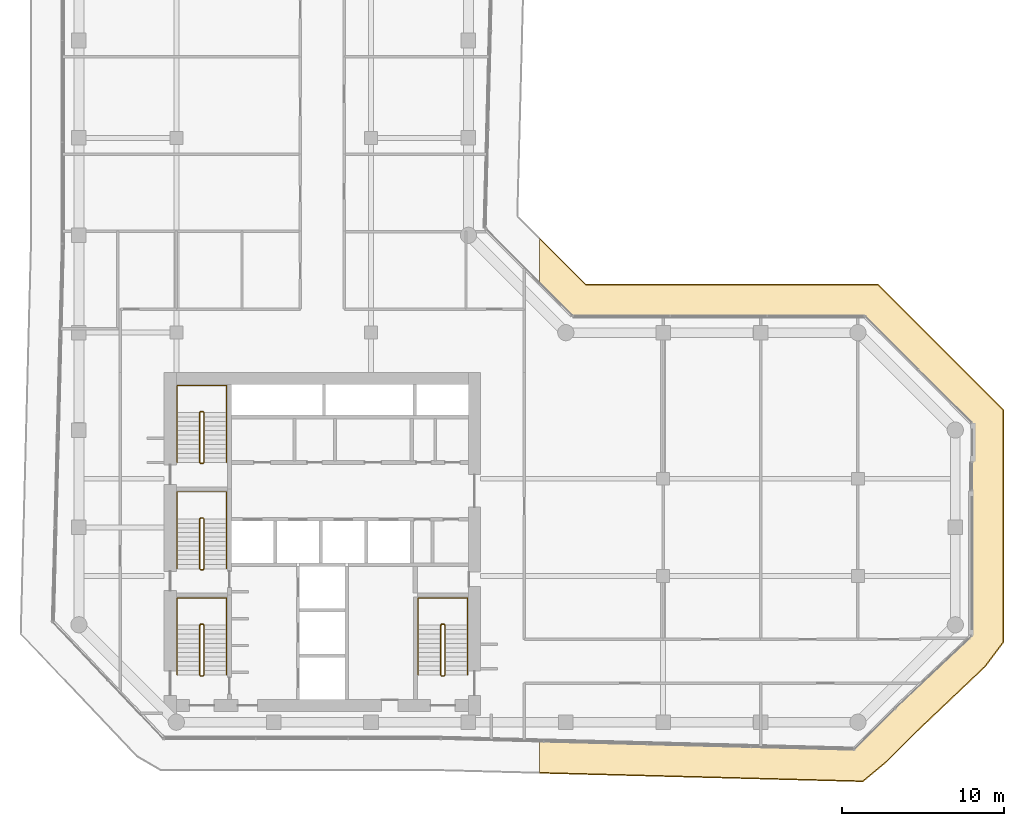
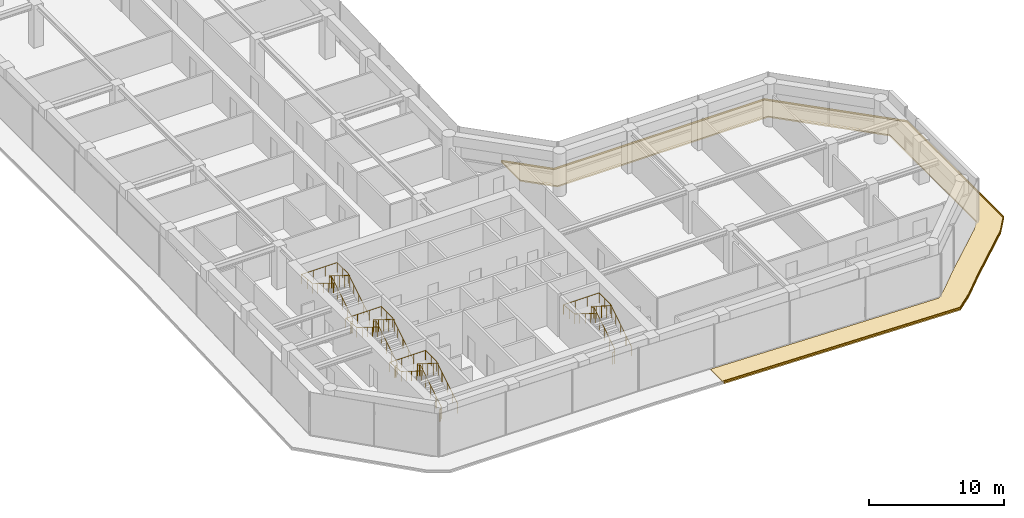
# One storey, part 22 of 23: 8 railings, 2 coverings.
"""IFC4 building model written with IfcOpenShell, lengths in metres."""

from ifc_helpers import new_model, si_unit, direction, frame, origin, origin_2d, place, context, subcontext, project, spatial, polyline, circle, outline, extrude, material, layer, layer_set, type_object, element, save


model = new_model("IFC4")

# Units and contexts
model_context = context("Model", 3, precision=1e-05, world=origin(), true_north=direction((0.0, 1.0)))
body_context = subcontext(model_context, "Body", "Model", "MODEL_VIEW")
ifc_project = project(units=[si_unit("LENGTHUNIT", "METRE"), si_unit("AREAUNIT", "SQUARE_METRE"), si_unit("VOLUMEUNIT", "CUBIC_METRE"), si_unit("PLANEANGLEUNIT", "RADIAN"), si_unit("MASSUNIT", "GRAM", prefix="KILO")], contexts=[model_context])

# Site, building, storey
site_placement = place(None, origin())
site = spatial("IfcSite", under=ifc_project, at=site_placement, CompositionType="ELEMENT")
building_placement = place(site_placement, origin())
building = spatial("IfcBuilding", under=site, at=building_placement, Name="Welwitschia Terrace Campus", CompositionType="ELEMENT")
storey_placement = place(building_placement, frame((0.0, 0.0, 117.199951171875)))
storey = spatial("IfcBuildingStorey", under=building, at=storey_placement, Name="L26", CompositionType="ELEMENT", Elevation=117.199951171875)

# Railings
ifc_material_1 = material(Name="Steel S355", Category="steel")
railing_type_1 = type_object("IfcRailingType", Name="Stair guard 1100", PredefinedType="GUARDRAIL", material=ifc_material_1)
railing_1_placement = place(storey_placement, frame((7.5, 6.85009765625, 0.0)))
element("IfcRailing", 1, at=railing_1_placement, inside=storey, type_object=railing_type_1, Name="L26 S1 stair guard", PredefinedType="GUARDRAIL", context=body_context, shape_type="SweptSolid", body=[
    extrude(circle(Radius=0.02392578125, at=origin_2d()), frame((0.0, 0.0, 1.076171875), z_axis=(1.0, 0.0, 0.0), x_axis=(0.0, 1.0, 0.0)), (0.0, 0.0, 1.0), 0.14990234375),
    extrude(circle(Radius=0.02392578125, at=origin_2d()), frame((0.14990234375, 0.0, 1.076171875), z_axis=(0.265155923931, 0.263862480399, 0.927399011991), x_axis=(-0.705375805398, 0.708833529934, 0.0)), (0.0, 0.0, 1.0), 0.188720703125),
    extrude(circle(Radius=0.02392578125, at=origin_2d()), frame((0.199951171875, 0.0498046875, 1.2509765625), z_axis=(0.0, 0.847998304005, 0.529998940003), x_axis=(-1.0, 0.0, 0.0)), (0.0, 0.0, 1.0), 3.632080078125),
    extrude(circle(Radius=0.02392578125, at=origin_2d()), frame((0.199951171875, 3.1298828125, 3.17626953125), z_axis=(-0.707106781187, 0.707106781187, 0.0), x_axis=(-0.707106781187, -0.707106781187, 0.0)), (0.0, 0.0, 1.0), 0.07080078125),
    extrude(circle(Radius=0.02392578125, at=origin_2d()), frame((0.14990234375, 3.179931640625, 3.17626953125), z_axis=(-1.0, 0.0, 0.0), x_axis=(0.0, -1.0, 0.0)), (0.0, 0.0, 1.0), 0.14990234375),
    extrude(circle(Radius=0.02392578125, at=origin_2d()), frame((0.0, 3.179931640625, 3.17626953125), z_axis=(-0.265065253269, -0.265065253269, 0.927081885822), x_axis=(0.707106781187, -0.707106781187, 0.0)), (0.0, 0.0, 1.0), 0.188720703125),
    extrude(circle(Radius=0.02392578125, at=origin_2d()), frame((-0.050048828125, 3.1298828125, 3.35107421875), z_axis=(0.0, -0.848028513186, 0.529950602248), x_axis=(1.0, 0.0, 0.0)), (0.0, 0.0, 1.0), 3.632080078125),
    extrude(circle(Radius=0.02099609375, at=origin_2d()), origin(), (0.0, 0.0, 1.0), 1.052001953125),
    extrude(circle(Radius=0.02099609375, at=origin_2d()), frame((0.14990234375, 0.0, 0.0)), (0.0, 0.0, 1.0), 1.052001953125),
    extrude(circle(Radius=0.02099609375, at=origin_2d()), frame((0.199951171875, 0.0498046875, 0.175048828125)), (0.0, 0.0, 1.0), 1.052001953125),
    extrude(circle(Radius=0.02099609375, at=origin_2d()), frame((0.199951171875, 0.81982421875, 0.65625)), (0.0, 0.0, 1.0), 1.052001953125),
    extrude(circle(Radius=0.02099609375, at=origin_2d()), frame((0.199951171875, 1.58984375, 1.1376953125)), (0.0, 0.0, 1.0), 1.052001953125),
    extrude(circle(Radius=0.02099609375, at=origin_2d()), frame((0.199951171875, 2.35986328125, 1.618896484375)), (0.0, 0.0, 1.0), 1.052001953125),
    extrude(circle(Radius=0.02099609375, at=origin_2d()), frame((0.199951171875, 3.1298828125, 2.10009765625)), (0.0, 0.0, 1.0), 1.052001953125),
    extrude(circle(Radius=0.02099609375, at=origin_2d()), frame((0.14990234375, 3.179931640625, 2.10009765625)), (0.0, 0.0, 1.0), 1.052001953125),
    extrude(circle(Radius=0.02099609375, at=origin_2d()), frame((0.0, 3.179931640625, 2.10009765625)), (0.0, 0.0, 1.0), 1.052001953125),
    extrude(circle(Radius=0.02099609375, at=origin_2d()), frame((-0.050048828125, 3.1298828125, 2.275146484375)), (0.0, 0.0, 1.0), 1.052001953125),
    extrude(circle(Radius=0.02099609375, at=origin_2d()), frame((-0.050048828125, 2.35986328125, 2.75634765625)), (0.0, 0.0, 1.0), 1.052001953125),
    extrude(circle(Radius=0.02099609375, at=origin_2d()), frame((-0.050048828125, 1.58984375, 3.237548828125)), (0.0, 0.0, 1.0), 1.052001953125),
    extrude(circle(Radius=0.02099609375, at=origin_2d()), frame((-0.050048828125, 0.81982421875, 3.71875)), (0.0, 0.0, 1.0), 1.052001953125),
    extrude(circle(Radius=0.02099609375, at=origin_2d()), frame((-0.050048828125, 0.0498046875, 4.199951171875)), (0.0, 0.0, 1.0), 1.052001953125),
])
railing_2_placement = place(storey_placement, frame((7.5, 13.39990234375, 0.0)))
element("IfcRailing", 2, at=railing_2_placement, inside=storey, type_object=railing_type_1, Name="L26 S3 stair guard", PredefinedType="GUARDRAIL", context=body_context, shape_type="SweptSolid", body=[
    extrude(circle(Radius=0.02392578125, at=origin_2d()), frame((0.0, 0.0, 1.076171875), z_axis=(1.0, 0.0, 0.0), x_axis=(0.0, 1.0, 0.0)), (0.0, 0.0, 1.0), 0.14990234375),
    extrude(circle(Radius=0.02392578125, at=origin_2d()), frame((0.14990234375, 0.0, 1.076171875), z_axis=(0.265065253269, 0.265065253269, 0.927081885822), x_axis=(-0.707106781187, 0.707106781187, 0.0)), (0.0, 0.0, 1.0), 0.188720703125),
    extrude(circle(Radius=0.02392578125, at=origin_2d()), frame((0.199951171875, 0.050048828125, 1.2509765625), z_axis=(0.0, 0.847998304005, 0.529998940003), x_axis=(-1.0, 0.0, 0.0)), (0.0, 0.0, 1.0), 3.632080078125),
    extrude(circle(Radius=0.02392578125, at=origin_2d()), frame((0.199951171875, 3.130126953125, 3.17626953125), z_axis=(-0.707106781187, 0.707106781187, 0.0), x_axis=(-0.707106781187, -0.707106781187, 0.0)), (0.0, 0.0, 1.0), 0.07080078125),
    extrude(circle(Radius=0.02392578125, at=origin_2d()), frame((0.14990234375, 3.18017578125, 3.17626953125), z_axis=(-1.0, 0.0, 0.0), x_axis=(0.0, -1.0, 0.0)), (0.0, 0.0, 1.0), 0.14990234375),
    extrude(circle(Radius=0.02392578125, at=origin_2d()), frame((0.0, 3.18017578125, 3.17626953125), z_axis=(-0.265065253269, -0.265065253269, 0.927081885822), x_axis=(0.707106781187, -0.707106781187, 0.0)), (0.0, 0.0, 1.0), 0.188720703125),
    extrude(circle(Radius=0.02392578125, at=origin_2d()), frame((-0.050048828125, 3.130126953125, 3.35107421875), z_axis=(0.0, -0.848028513186, 0.529950602248), x_axis=(1.0, 0.0, 0.0)), (0.0, 0.0, 1.0), 3.632080078125),
    extrude(circle(Radius=0.02099609375, at=origin_2d()), origin(), (0.0, 0.0, 1.0), 1.052001953125),
    extrude(circle(Radius=0.02099609375, at=origin_2d()), frame((0.14990234375, 0.0, 0.0)), (0.0, 0.0, 1.0), 1.052001953125),
    extrude(circle(Radius=0.02099609375, at=origin_2d()), frame((0.199951171875, 0.050048828125, 0.175048828125)), (0.0, 0.0, 1.0), 1.052001953125),
    extrude(circle(Radius=0.02099609375, at=origin_2d()), frame((0.199951171875, 0.820068359375, 0.65625)), (0.0, 0.0, 1.0), 1.052001953125),
    extrude(circle(Radius=0.02099609375, at=origin_2d()), frame((0.199951171875, 1.590087890625, 1.1376953125)), (0.0, 0.0, 1.0), 1.052001953125),
    extrude(circle(Radius=0.02099609375, at=origin_2d()), frame((0.199951171875, 2.360107421875, 1.618896484375)), (0.0, 0.0, 1.0), 1.052001953125),
    extrude(circle(Radius=0.02099609375, at=origin_2d()), frame((0.199951171875, 3.130126953125, 2.10009765625)), (0.0, 0.0, 1.0), 1.052001953125),
    extrude(circle(Radius=0.02099609375, at=origin_2d()), frame((0.14990234375, 3.18017578125, 2.10009765625)), (0.0, 0.0, 1.0), 1.052001953125),
    extrude(circle(Radius=0.02099609375, at=origin_2d()), frame((0.0, 3.18017578125, 2.10009765625)), (0.0, 0.0, 1.0), 1.052001953125),
    extrude(circle(Radius=0.02099609375, at=origin_2d()), frame((-0.050048828125, 3.130126953125, 2.275146484375)), (0.0, 0.0, 1.0), 1.052001953125),
    extrude(circle(Radius=0.02099609375, at=origin_2d()), frame((-0.050048828125, 2.360107421875, 2.75634765625)), (0.0, 0.0, 1.0), 1.052001953125),
    extrude(circle(Radius=0.02099609375, at=origin_2d()), frame((-0.050048828125, 1.590087890625, 3.237548828125)), (0.0, 0.0, 1.0), 1.052001953125),
    extrude(circle(Radius=0.02099609375, at=origin_2d()), frame((-0.050048828125, 0.820068359375, 3.71875)), (0.0, 0.0, 1.0), 1.052001953125),
    extrude(circle(Radius=0.02099609375, at=origin_2d()), frame((-0.050048828125, 0.050048828125, 4.199951171875)), (0.0, 0.0, 1.0), 1.052001953125),
])
railing_3_placement = place(storey_placement, frame((7.5, 19.949951171875, 0.0)))
element("IfcRailing", 3, at=railing_3_placement, inside=storey, type_object=railing_type_1, Name="L26 S4 stair guard", PredefinedType="GUARDRAIL", context=body_context, shape_type="SweptSolid", body=[
    extrude(circle(Radius=0.02392578125, at=origin_2d()), frame((0.0, 0.0, 1.076171875), z_axis=(1.0, 0.0, 0.0), x_axis=(0.0, 1.0, 0.0)), (0.0, 0.0, 1.0), 0.14990234375),
    extrude(circle(Radius=0.02392578125, at=origin_2d()), frame((0.14990234375, 0.0, 1.076171875), z_axis=(0.265065253269, 0.265065253269, 0.927081885822), x_axis=(-0.707106781187, 0.707106781187, 0.0)), (0.0, 0.0, 1.0), 0.188720703125),
    extrude(circle(Radius=0.02392578125, at=origin_2d()), frame((0.199951171875, 0.050048828125, 1.2509765625), z_axis=(0.0, 0.847998304005, 0.529998940003), x_axis=(-1.0, 0.0, 0.0)), (0.0, 0.0, 1.0), 3.632080078125),
    extrude(circle(Radius=0.02392578125, at=origin_2d()), frame((0.199951171875, 3.130126953125, 3.17626953125), z_axis=(-0.708833529934, 0.705375805398, 0.0), x_axis=(-0.705375805398, -0.708833529934, 0.0)), (0.0, 0.0, 1.0), 0.070556640625),
    extrude(circle(Radius=0.02392578125, at=origin_2d()), frame((0.14990234375, 3.179931640625, 3.17626953125), z_axis=(-1.0, 0.0, 0.0), x_axis=(0.0, -1.0, 0.0)), (0.0, 0.0, 1.0), 0.14990234375),
    extrude(circle(Radius=0.02392578125, at=origin_2d()), frame((0.0, 3.179931640625, 3.17626953125), z_axis=(-0.265155923931, -0.263862480399, 0.927399011991), x_axis=(0.705375805398, -0.708833529934, 0.0)), (0.0, 0.0, 1.0), 0.188720703125),
    extrude(circle(Radius=0.02392578125, at=origin_2d()), frame((-0.050048828125, 3.130126953125, 3.35107421875), z_axis=(0.0, -0.848028513186, 0.529950602248), x_axis=(1.0, 0.0, 0.0)), (0.0, 0.0, 1.0), 3.632080078125),
    extrude(circle(Radius=0.02099609375, at=origin_2d()), origin(), (0.0, 0.0, 1.0), 1.052001953125),
    extrude(circle(Radius=0.02099609375, at=origin_2d()), frame((0.14990234375, 0.0, 0.0)), (0.0, 0.0, 1.0), 1.052001953125),
    extrude(circle(Radius=0.02099609375, at=origin_2d()), frame((0.199951171875, 0.050048828125, 0.175048828125)), (0.0, 0.0, 1.0), 1.052001953125),
    extrude(circle(Radius=0.02099609375, at=origin_2d()), frame((0.199951171875, 0.820068359375, 0.65625)), (0.0, 0.0, 1.0), 1.052001953125),
    extrude(circle(Radius=0.02099609375, at=origin_2d()), frame((0.199951171875, 1.590087890625, 1.1376953125)), (0.0, 0.0, 1.0), 1.052001953125),
    extrude(circle(Radius=0.02099609375, at=origin_2d()), frame((0.199951171875, 2.360107421875, 1.618896484375)), (0.0, 0.0, 1.0), 1.052001953125),
    extrude(circle(Radius=0.02099609375, at=origin_2d()), frame((0.199951171875, 3.130126953125, 2.10009765625)), (0.0, 0.0, 1.0), 1.052001953125),
    extrude(circle(Radius=0.02099609375, at=origin_2d()), frame((0.14990234375, 3.179931640625, 2.10009765625)), (0.0, 0.0, 1.0), 1.052001953125),
    extrude(circle(Radius=0.02099609375, at=origin_2d()), frame((0.0, 3.179931640625, 2.10009765625)), (0.0, 0.0, 1.0), 1.052001953125),
    extrude(circle(Radius=0.02099609375, at=origin_2d()), frame((-0.050048828125, 3.130126953125, 2.275146484375)), (0.0, 0.0, 1.0), 1.052001953125),
    extrude(circle(Radius=0.02099609375, at=origin_2d()), frame((-0.050048828125, 2.360107421875, 2.75634765625)), (0.0, 0.0, 1.0), 1.052001953125),
    extrude(circle(Radius=0.02099609375, at=origin_2d()), frame((-0.050048828125, 1.590087890625, 3.237548828125)), (0.0, 0.0, 1.0), 1.052001953125),
    extrude(circle(Radius=0.02099609375, at=origin_2d()), frame((-0.050048828125, 0.820068359375, 3.71875)), (0.0, 0.0, 1.0), 1.052001953125),
    extrude(circle(Radius=0.02099609375, at=origin_2d()), frame((-0.050048828125, 0.050048828125, 4.199951171875)), (0.0, 0.0, 1.0), 1.052001953125),
])
railing_4_placement = place(storey_placement, frame((22.35009765625, 6.85009765625, 0.0)))
element("IfcRailing", 4, at=railing_4_placement, inside=storey, type_object=railing_type_1, Name="L26 S2 stair guard", PredefinedType="GUARDRAIL", context=body_context, shape_type="SweptSolid", body=[
    extrude(circle(Radius=0.02392578125, at=origin_2d()), frame((0.0, 0.0, 1.076171875), z_axis=(1.0, 0.0, 0.0), x_axis=(0.0, 1.0, 0.0)), (0.0, 0.0, 1.0), 0.14990234375),
    extrude(circle(Radius=0.02392578125, at=origin_2d()), frame((0.14990234375, 0.0, 1.076171875), z_axis=(0.265155923931, 0.263862480399, 0.927399011991), x_axis=(-0.705375805398, 0.708833529934, 0.0)), (0.0, 0.0, 1.0), 0.188720703125),
    extrude(circle(Radius=0.02392578125, at=origin_2d()), frame((0.199951171875, 0.0498046875, 1.2509765625), z_axis=(0.0, 0.847998304005, 0.529998940003), x_axis=(-1.0, 0.0, 0.0)), (0.0, 0.0, 1.0), 3.632080078125),
    extrude(circle(Radius=0.02392578125, at=origin_2d()), frame((0.199951171875, 3.1298828125, 3.17626953125), z_axis=(-0.707106781187, 0.707106781187, 0.0), x_axis=(-0.707106781187, -0.707106781187, 0.0)), (0.0, 0.0, 1.0), 0.07080078125),
    extrude(circle(Radius=0.02392578125, at=origin_2d()), frame((0.14990234375, 3.179931640625, 3.17626953125), z_axis=(-1.0, 0.0, 0.0), x_axis=(0.0, -1.0, 0.0)), (0.0, 0.0, 1.0), 0.14990234375),
    extrude(circle(Radius=0.02392578125, at=origin_2d()), frame((0.0, 3.179931640625, 3.17626953125), z_axis=(-0.265065253269, -0.265065253269, 0.927081885822), x_axis=(0.707106781187, -0.707106781187, 0.0)), (0.0, 0.0, 1.0), 0.188720703125),
    extrude(circle(Radius=0.02392578125, at=origin_2d()), frame((-0.050048828125, 3.1298828125, 3.35107421875), z_axis=(0.0, -0.848028513186, 0.529950602248), x_axis=(1.0, 0.0, 0.0)), (0.0, 0.0, 1.0), 3.632080078125),
    extrude(circle(Radius=0.02099609375, at=origin_2d()), origin(), (0.0, 0.0, 1.0), 1.052001953125),
    extrude(circle(Radius=0.02099609375, at=origin_2d()), frame((0.14990234375, 0.0, 0.0)), (0.0, 0.0, 1.0), 1.052001953125),
    extrude(circle(Radius=0.02099609375, at=origin_2d()), frame((0.199951171875, 0.0498046875, 0.175048828125)), (0.0, 0.0, 1.0), 1.052001953125),
    extrude(circle(Radius=0.02099609375, at=origin_2d()), frame((0.199951171875, 0.81982421875, 0.65625)), (0.0, 0.0, 1.0), 1.052001953125),
    extrude(circle(Radius=0.02099609375, at=origin_2d()), frame((0.199951171875, 1.58984375, 1.1376953125)), (0.0, 0.0, 1.0), 1.052001953125),
    extrude(circle(Radius=0.02099609375, at=origin_2d()), frame((0.199951171875, 2.35986328125, 1.618896484375)), (0.0, 0.0, 1.0), 1.052001953125),
    extrude(circle(Radius=0.02099609375, at=origin_2d()), frame((0.199951171875, 3.1298828125, 2.10009765625)), (0.0, 0.0, 1.0), 1.052001953125),
    extrude(circle(Radius=0.02099609375, at=origin_2d()), frame((0.14990234375, 3.179931640625, 2.10009765625)), (0.0, 0.0, 1.0), 1.052001953125),
    extrude(circle(Radius=0.02099609375, at=origin_2d()), frame((0.0, 3.179931640625, 2.10009765625)), (0.0, 0.0, 1.0), 1.052001953125),
    extrude(circle(Radius=0.02099609375, at=origin_2d()), frame((-0.050048828125, 3.1298828125, 2.275146484375)), (0.0, 0.0, 1.0), 1.052001953125),
    extrude(circle(Radius=0.02099609375, at=origin_2d()), frame((-0.050048828125, 2.35986328125, 2.75634765625)), (0.0, 0.0, 1.0), 1.052001953125),
    extrude(circle(Radius=0.02099609375, at=origin_2d()), frame((-0.050048828125, 1.58984375, 3.237548828125)), (0.0, 0.0, 1.0), 1.052001953125),
    extrude(circle(Radius=0.02099609375, at=origin_2d()), frame((-0.050048828125, 0.81982421875, 3.71875)), (0.0, 0.0, 1.0), 1.052001953125),
    extrude(circle(Radius=0.02099609375, at=origin_2d()), frame((-0.050048828125, 0.0498046875, 4.199951171875)), (0.0, 0.0, 1.0), 1.052001953125),
])
ifc_material_2 = material(Name="Steel S355", Category="steel")
railing_type_2 = type_object("IfcRailingType", Name="Stair handrail 900", PredefinedType="HANDRAIL", material=ifc_material_2)
railing_5_placement = place(storey_placement, frame((9.10009765625, 6.89990234375, 0.175048828125)))
element("IfcRailing", 5, at=railing_5_placement, inside=storey, type_object=railing_type_2, Name="L26 S1 stair handrail", PredefinedType="HANDRAIL", context=body_context, shape_type="SweptSolid", body=[
    extrude(circle(Radius=0.02392578125, at=origin_2d()), frame((0.0, 0.0, 0.8759765625), z_axis=(0.0, 0.847998304005, 0.529998940003), x_axis=(-1.0, 0.0, 0.0)), (0.0, 0.0, 1.0), 3.632080078125),
    extrude(circle(Radius=0.02392578125, at=origin_2d()), frame((0.0, 3.080078125, 2.80078125), z_axis=(0.0, 1.0, 0.0), x_axis=(-1.0, 0.0, 0.0)), (0.0, 0.0, 1.0), 1.669921875),
    extrude(circle(Radius=0.02392578125, at=origin_2d()), frame((0.0, 4.75, 2.80078125), z_axis=(-1.0, 0.0, 0.0), x_axis=(0.0, -1.0, 0.0)), (0.0, 0.0, 1.0), 3.050048828125),
    extrude(circle(Radius=0.02392578125, at=origin_2d()), frame((-3.050048828125, 4.75, 2.80078125), z_axis=(0.0, -0.99455077262, 0.104253348533), x_axis=(1.0, 0.0, 0.0)), (0.0, 0.0, 1.0), 1.678955078125),
    extrude(circle(Radius=0.02392578125, at=origin_2d()), frame((-3.050048828125, 3.080078125, 2.97607421875), z_axis=(0.0, -0.848028513186, 0.529950602248), x_axis=(1.0, 0.0, 0.0)), (0.0, 0.0, 1.0), 3.632080078125),
    extrude(circle(Radius=0.02099609375, at=origin_2d()), origin(), (0.0, 0.0, 1.0), 0.851806640625),
    extrude(circle(Radius=0.02099609375, at=origin_2d()), frame((0.0, 0.77001953125, 0.481201171875)), (0.0, 0.0, 1.0), 0.851806640625),
    extrude(circle(Radius=0.02099609375, at=origin_2d()), frame((0.0, 1.5400390625, 0.96240234375)), (0.0, 0.0, 1.0), 0.851806640625),
    extrude(circle(Radius=0.02099609375, at=origin_2d()), frame((0.0, 2.31005859375, 1.44384765625)), (0.0, 0.0, 1.0), 0.851806640625),
    extrude(circle(Radius=0.02099609375, at=origin_2d()), frame((0.0, 3.080078125, 1.925048828125)), (0.0, 0.0, 1.0), 0.851806640625),
    extrude(circle(Radius=0.02099609375, at=origin_2d()), frame((0.0, 3.9150390625, 1.925048828125)), (0.0, 0.0, 1.0), 0.851806640625),
    extrude(circle(Radius=0.02099609375, at=origin_2d()), frame((0.0, 4.75, 1.925048828125)), (0.0, 0.0, 1.0), 0.851806640625),
    extrude(circle(Radius=0.02099609375, at=origin_2d()), frame((-1.0166015625, 4.75, 1.925048828125)), (0.0, 0.0, 1.0), 0.851806640625),
    extrude(circle(Radius=0.02099609375, at=origin_2d()), frame((-2.033447265625, 4.75, 1.925048828125)), (0.0, 0.0, 1.0), 0.851806640625),
    extrude(circle(Radius=0.02099609375, at=origin_2d()), frame((-3.050048828125, 4.75, 1.925048828125)), (0.0, 0.0, 1.0), 0.851806640625),
    extrude(circle(Radius=0.02099609375, at=origin_2d()), frame((-3.050048828125, 3.9150390625, 2.0126953125)), (0.0, 0.0, 1.0), 0.851806640625),
    extrude(circle(Radius=0.02099609375, at=origin_2d()), frame((-3.050048828125, 3.080078125, 2.10009765625)), (0.0, 0.0, 1.0), 0.851806640625),
    extrude(circle(Radius=0.02099609375, at=origin_2d()), frame((-3.050048828125, 2.31005859375, 2.581298828125)), (0.0, 0.0, 1.0), 0.851806640625),
    extrude(circle(Radius=0.02099609375, at=origin_2d()), frame((-3.050048828125, 1.5400390625, 3.0625)), (0.0, 0.0, 1.0), 0.851806640625),
    extrude(circle(Radius=0.02099609375, at=origin_2d()), frame((-3.050048828125, 0.77001953125, 3.543701171875)), (0.0, 0.0, 1.0), 0.851806640625),
    extrude(circle(Radius=0.02099609375, at=origin_2d()), frame((-3.050048828125, 0.0, 4.02490234375)), (0.0, 0.0, 1.0), 0.851806640625),
])
railing_6_placement = place(storey_placement, frame((9.10009765625, 13.449951171875, 0.175048828125)))
element("IfcRailing", 6, at=railing_6_placement, inside=storey, type_object=railing_type_2, Name="L26 S3 stair handrail", PredefinedType="HANDRAIL", context=body_context, shape_type="SweptSolid", body=[
    extrude(circle(Radius=0.02392578125, at=origin_2d()), frame((0.0, 0.0, 0.8759765625), z_axis=(0.0, 0.847998304005, 0.529998940003), x_axis=(-1.0, 0.0, 0.0)), (0.0, 0.0, 1.0), 3.632080078125),
    extrude(circle(Radius=0.02392578125, at=origin_2d()), frame((0.0, 3.080078125, 2.80078125), z_axis=(0.0, 1.0, 0.0), x_axis=(-1.0, 0.0, 0.0)), (0.0, 0.0, 1.0), 1.669921875),
    extrude(circle(Radius=0.02392578125, at=origin_2d()), frame((0.0, 4.75, 2.80078125), z_axis=(-1.0, 0.0, 0.0), x_axis=(0.0, -1.0, 0.0)), (0.0, 0.0, 1.0), 3.050048828125),
    extrude(circle(Radius=0.02392578125, at=origin_2d()), frame((-3.050048828125, 4.75, 2.80078125), z_axis=(0.0, -0.99455077262, 0.104253348533), x_axis=(1.0, 0.0, 0.0)), (0.0, 0.0, 1.0), 1.678955078125),
    extrude(circle(Radius=0.02392578125, at=origin_2d()), frame((-3.050048828125, 3.080078125, 2.97607421875), z_axis=(0.0, -0.848028513186, 0.529950602248), x_axis=(1.0, 0.0, 0.0)), (0.0, 0.0, 1.0), 3.632080078125),
    extrude(circle(Radius=0.02099609375, at=origin_2d()), origin(), (0.0, 0.0, 1.0), 0.851806640625),
    extrude(circle(Radius=0.02099609375, at=origin_2d()), frame((0.0, 0.77001953125, 0.481201171875)), (0.0, 0.0, 1.0), 0.851806640625),
    extrude(circle(Radius=0.02099609375, at=origin_2d()), frame((0.0, 1.5400390625, 0.96240234375)), (0.0, 0.0, 1.0), 0.851806640625),
    extrude(circle(Radius=0.02099609375, at=origin_2d()), frame((0.0, 2.31005859375, 1.44384765625)), (0.0, 0.0, 1.0), 0.851806640625),
    extrude(circle(Radius=0.02099609375, at=origin_2d()), frame((0.0, 3.080078125, 1.925048828125)), (0.0, 0.0, 1.0), 0.851806640625),
    extrude(circle(Radius=0.02099609375, at=origin_2d()), frame((0.0, 3.9150390625, 1.925048828125)), (0.0, 0.0, 1.0), 0.851806640625),
    extrude(circle(Radius=0.02099609375, at=origin_2d()), frame((0.0, 4.75, 1.925048828125)), (0.0, 0.0, 1.0), 0.851806640625),
    extrude(circle(Radius=0.02099609375, at=origin_2d()), frame((-1.0166015625, 4.75, 1.925048828125)), (0.0, 0.0, 1.0), 0.851806640625),
    extrude(circle(Radius=0.02099609375, at=origin_2d()), frame((-2.033447265625, 4.75, 1.925048828125)), (0.0, 0.0, 1.0), 0.851806640625),
    extrude(circle(Radius=0.02099609375, at=origin_2d()), frame((-3.050048828125, 4.75, 1.925048828125)), (0.0, 0.0, 1.0), 0.851806640625),
    extrude(circle(Radius=0.02099609375, at=origin_2d()), frame((-3.050048828125, 3.9150390625, 2.0126953125)), (0.0, 0.0, 1.0), 0.851806640625),
    extrude(circle(Radius=0.02099609375, at=origin_2d()), frame((-3.050048828125, 3.080078125, 2.10009765625)), (0.0, 0.0, 1.0), 0.851806640625),
    extrude(circle(Radius=0.02099609375, at=origin_2d()), frame((-3.050048828125, 2.31005859375, 2.581298828125)), (0.0, 0.0, 1.0), 0.851806640625),
    extrude(circle(Radius=0.02099609375, at=origin_2d()), frame((-3.050048828125, 1.5400390625, 3.0625)), (0.0, 0.0, 1.0), 0.851806640625),
    extrude(circle(Radius=0.02099609375, at=origin_2d()), frame((-3.050048828125, 0.77001953125, 3.543701171875)), (0.0, 0.0, 1.0), 0.851806640625),
    extrude(circle(Radius=0.02099609375, at=origin_2d()), frame((-3.050048828125, 0.0, 4.02490234375)), (0.0, 0.0, 1.0), 0.851806640625),
])
railing_7_placement = place(storey_placement, frame((9.10009765625, 20.0, 0.175048828125)))
element("IfcRailing", 7, at=railing_7_placement, inside=storey, type_object=railing_type_2, Name="L26 S4 stair handrail", PredefinedType="HANDRAIL", context=body_context, shape_type="SweptSolid", body=[
    extrude(circle(Radius=0.02392578125, at=origin_2d()), frame((0.0, 0.0, 0.8759765625), z_axis=(0.0, 0.847998304005, 0.529998940003), x_axis=(-1.0, 0.0, 0.0)), (0.0, 0.0, 1.0), 3.632080078125),
    extrude(circle(Radius=0.02392578125, at=origin_2d()), frame((0.0, 3.080078125, 2.80078125), z_axis=(0.0, 1.0, 0.0), x_axis=(-1.0, 0.0, 0.0)), (0.0, 0.0, 1.0), 1.669921875),
    extrude(circle(Radius=0.02392578125, at=origin_2d()), frame((0.0, 4.75, 2.80078125), z_axis=(-1.0, 0.0, 0.0), x_axis=(0.0, -1.0, 0.0)), (0.0, 0.0, 1.0), 3.050048828125),
    extrude(circle(Radius=0.02392578125, at=origin_2d()), frame((-3.050048828125, 4.75, 2.80078125), z_axis=(0.0, -0.99455077262, 0.104253348533), x_axis=(1.0, 0.0, 0.0)), (0.0, 0.0, 1.0), 1.678955078125),
    extrude(circle(Radius=0.02392578125, at=origin_2d()), frame((-3.050048828125, 3.080078125, 2.97607421875), z_axis=(0.0, -0.848028513186, 0.529950602248), x_axis=(1.0, 0.0, 0.0)), (0.0, 0.0, 1.0), 3.632080078125),
    extrude(circle(Radius=0.02099609375, at=origin_2d()), origin(), (0.0, 0.0, 1.0), 0.851806640625),
    extrude(circle(Radius=0.02099609375, at=origin_2d()), frame((0.0, 0.77001953125, 0.481201171875)), (0.0, 0.0, 1.0), 0.851806640625),
    extrude(circle(Radius=0.02099609375, at=origin_2d()), frame((0.0, 1.5400390625, 0.96240234375)), (0.0, 0.0, 1.0), 0.851806640625),
    extrude(circle(Radius=0.02099609375, at=origin_2d()), frame((0.0, 2.31005859375, 1.44384765625)), (0.0, 0.0, 1.0), 0.851806640625),
    extrude(circle(Radius=0.02099609375, at=origin_2d()), frame((0.0, 3.080078125, 1.925048828125)), (0.0, 0.0, 1.0), 0.851806640625),
    extrude(circle(Radius=0.02099609375, at=origin_2d()), frame((0.0, 3.9150390625, 1.925048828125)), (0.0, 0.0, 1.0), 0.851806640625),
    extrude(circle(Radius=0.02099609375, at=origin_2d()), frame((0.0, 4.75, 1.925048828125)), (0.0, 0.0, 1.0), 0.851806640625),
    extrude(circle(Radius=0.02099609375, at=origin_2d()), frame((-1.0166015625, 4.75, 1.925048828125)), (0.0, 0.0, 1.0), 0.851806640625),
    extrude(circle(Radius=0.02099609375, at=origin_2d()), frame((-2.033447265625, 4.75, 1.925048828125)), (0.0, 0.0, 1.0), 0.851806640625),
    extrude(circle(Radius=0.02099609375, at=origin_2d()), frame((-3.050048828125, 4.75, 1.925048828125)), (0.0, 0.0, 1.0), 0.851806640625),
    extrude(circle(Radius=0.02099609375, at=origin_2d()), frame((-3.050048828125, 3.9150390625, 2.0126953125)), (0.0, 0.0, 1.0), 0.851806640625),
    extrude(circle(Radius=0.02099609375, at=origin_2d()), frame((-3.050048828125, 3.080078125, 2.10009765625)), (0.0, 0.0, 1.0), 0.851806640625),
    extrude(circle(Radius=0.02099609375, at=origin_2d()), frame((-3.050048828125, 2.31005859375, 2.581298828125)), (0.0, 0.0, 1.0), 0.851806640625),
    extrude(circle(Radius=0.02099609375, at=origin_2d()), frame((-3.050048828125, 1.5400390625, 3.0625)), (0.0, 0.0, 1.0), 0.851806640625),
    extrude(circle(Radius=0.02099609375, at=origin_2d()), frame((-3.050048828125, 0.77001953125, 3.543701171875)), (0.0, 0.0, 1.0), 0.851806640625),
    extrude(circle(Radius=0.02099609375, at=origin_2d()), frame((-3.050048828125, 0.0, 4.02490234375)), (0.0, 0.0, 1.0), 0.851806640625),
])
railing_8_placement = place(storey_placement, frame((23.949951171875, 6.89990234375, 0.175048828125)))
element("IfcRailing", 8, at=railing_8_placement, inside=storey, type_object=railing_type_2, Name="L26 S2 stair handrail", PredefinedType="HANDRAIL", context=body_context, shape_type="SweptSolid", body=[
    extrude(circle(Radius=0.02392578125, at=origin_2d()), frame((0.0, 0.0, 0.8759765625), z_axis=(0.0, 0.847998304005, 0.529998940003), x_axis=(-1.0, 0.0, 0.0)), (0.0, 0.0, 1.0), 3.632080078125),
    extrude(circle(Radius=0.02392578125, at=origin_2d()), frame((0.0, 3.080078125, 2.80078125), z_axis=(0.0, 1.0, 0.0), x_axis=(-1.0, 0.0, 0.0)), (0.0, 0.0, 1.0), 1.669921875),
    extrude(circle(Radius=0.02392578125, at=origin_2d()), frame((0.0, 4.75, 2.80078125), z_axis=(-1.0, 0.0, 0.0), x_axis=(0.0, -1.0, 0.0)), (0.0, 0.0, 1.0), 3.050048828125),
    extrude(circle(Radius=0.02392578125, at=origin_2d()), frame((-3.050048828125, 4.75, 2.80078125), z_axis=(0.0, -0.99455077262, 0.104253348533), x_axis=(1.0, 0.0, 0.0)), (0.0, 0.0, 1.0), 1.678955078125),
    extrude(circle(Radius=0.02392578125, at=origin_2d()), frame((-3.050048828125, 3.080078125, 2.97607421875), z_axis=(0.0, -0.848028513186, 0.529950602248), x_axis=(1.0, 0.0, 0.0)), (0.0, 0.0, 1.0), 3.632080078125),
    extrude(circle(Radius=0.02099609375, at=origin_2d()), origin(), (0.0, 0.0, 1.0), 0.851806640625),
    extrude(circle(Radius=0.02099609375, at=origin_2d()), frame((0.0, 0.77001953125, 0.481201171875)), (0.0, 0.0, 1.0), 0.851806640625),
    extrude(circle(Radius=0.02099609375, at=origin_2d()), frame((0.0, 1.5400390625, 0.96240234375)), (0.0, 0.0, 1.0), 0.851806640625),
    extrude(circle(Radius=0.02099609375, at=origin_2d()), frame((0.0, 2.31005859375, 1.44384765625)), (0.0, 0.0, 1.0), 0.851806640625),
    extrude(circle(Radius=0.02099609375, at=origin_2d()), frame((0.0, 3.080078125, 1.925048828125)), (0.0, 0.0, 1.0), 0.851806640625),
    extrude(circle(Radius=0.02099609375, at=origin_2d()), frame((0.0, 3.9150390625, 1.925048828125)), (0.0, 0.0, 1.0), 0.851806640625),
    extrude(circle(Radius=0.02099609375, at=origin_2d()), frame((0.0, 4.75, 1.925048828125)), (0.0, 0.0, 1.0), 0.851806640625),
    extrude(circle(Radius=0.02099609375, at=origin_2d()), frame((-1.0166015625, 4.75, 1.925048828125)), (0.0, 0.0, 1.0), 0.851806640625),
    extrude(circle(Radius=0.02099609375, at=origin_2d()), frame((-2.033447265625, 4.75, 1.925048828125)), (0.0, 0.0, 1.0), 0.851806640625),
    extrude(circle(Radius=0.02099609375, at=origin_2d()), frame((-3.050048828125, 4.75, 1.925048828125)), (0.0, 0.0, 1.0), 0.851806640625),
    extrude(circle(Radius=0.02099609375, at=origin_2d()), frame((-3.050048828125, 3.9150390625, 2.0126953125)), (0.0, 0.0, 1.0), 0.851806640625),
    extrude(circle(Radius=0.02099609375, at=origin_2d()), frame((-3.050048828125, 3.080078125, 2.10009765625)), (0.0, 0.0, 1.0), 0.851806640625),
    extrude(circle(Radius=0.02099609375, at=origin_2d()), frame((-3.050048828125, 2.31005859375, 2.581298828125)), (0.0, 0.0, 1.0), 0.851806640625),
    extrude(circle(Radius=0.02099609375, at=origin_2d()), frame((-3.050048828125, 1.5400390625, 3.0625)), (0.0, 0.0, 1.0), 0.851806640625),
    extrude(circle(Radius=0.02099609375, at=origin_2d()), frame((-3.050048828125, 0.77001953125, 3.543701171875)), (0.0, 0.0, 1.0), 0.851806640625),
    extrude(circle(Radius=0.02099609375, at=origin_2d()), frame((-3.050048828125, 0.0, 4.02490234375)), (0.0, 0.0, 1.0), 0.851806640625),
])

# Coverings
ifc_material_3 = material(Name="Bronze anodised aluminium", Category="aluminium")
ifc_layer_1 = layer(ifc_material_3, 0.1201171875)
ifc_layer_set_1 = layer_set([ifc_layer_1], Name="Bronze anodised aluminium")
covering_type_1 = type_object("IfcCoveringType", Name="Sunshade band 2000", PredefinedType="USERDEFINED", material=ifc_layer_set_1)
covering_1_placement = place(storey_placement, frame((0.0, 0.0, -0.25)))
element("IfcCovering", 9, at=covering_1_placement, inside=storey, type_object=covering_type_1, Name="SUNSHADE L26.SE0", ObjectType="SUNSHADE", PredefinedType="USERDEFINED", context=body_context, shape_type="SweptSolid", body=[
    extrude(outline(polyline([(31.24267578125, 31.0), (49.24267578125, 31.0), (57.0, 23.24267578125), (57.0, 8.9189453125), (55.8701171875, 7.412841796875), (51.66650390625, 3.423583984375), (49.762939453125, 1.5205078125), (48.314697265625, 0.317626953125), (28.390380859375, 0.83935546875), (28.390380859375, 2.840087890625), (47.615478515625, 2.336669921875), (48.414306640625, 3.0), (50.270751953125, 4.8564453125), (54.371337890625, 8.747802734375), (55.0, 9.585693359375), (55.0, 22.414306640625), (48.414306640625, 29.0), (30.414306640625, 29.0), (28.390380859375, 31.023681640625), (28.390380859375, 33.852294921875), (31.24267578125, 31.0)])), origin(), (0.0, 0.0, 1.0), 0.1201171875),
])
ifc_material_4 = material(Name="Bronze anodised aluminium", Category="aluminium")
ifc_layer_2 = layer(ifc_material_4, 0.06005859375)
ifc_layer_set_2 = layer_set([ifc_layer_2], Name="Bronze anodised aluminium")
covering_type_2 = type_object("IfcCoveringType", Name="Sunshade lip 60", PredefinedType="USERDEFINED", material=ifc_layer_set_2)
covering_2_placement = place(storey_placement, frame((0.0, 0.0, -0.1298828125)))
element("IfcCovering", 10, at=covering_2_placement, inside=storey, type_object=covering_type_2, Name="SUNSHADE LIP L26.SE0.0", ObjectType="SUNSHADE", PredefinedType="USERDEFINED", context=body_context, shape_type="SweptSolid", body=[
    extrude(outline(polyline([(49.24267578125, 31.0), (57.0, 23.24267578125), (57.0, 8.9189453125), (55.8701171875, 7.412841796875), (51.66650390625, 3.423583984375), (49.762939453125, 1.5205078125), (48.314697265625, 0.317626953125), (28.390380859375, 0.83935546875), (28.390380859375, 0.8994140625), (48.293701171875, 0.378173828125), (49.72265625, 1.564697265625), (51.62451171875, 3.466796875), (55.8251953125, 7.452880859375), (56.93994140625, 8.93896484375), (56.93994140625, 23.2177734375), (49.2177734375, 30.93994140625), (31.2177734375, 30.93994140625), (28.390380859375, 33.767333984375), (28.390380859375, 33.852294921875), (31.24267578125, 31.0), (49.24267578125, 31.0)])), origin(), (0.0, 0.0, 1.0), 0.1298828125),
])

save(model, "model.ifc")
